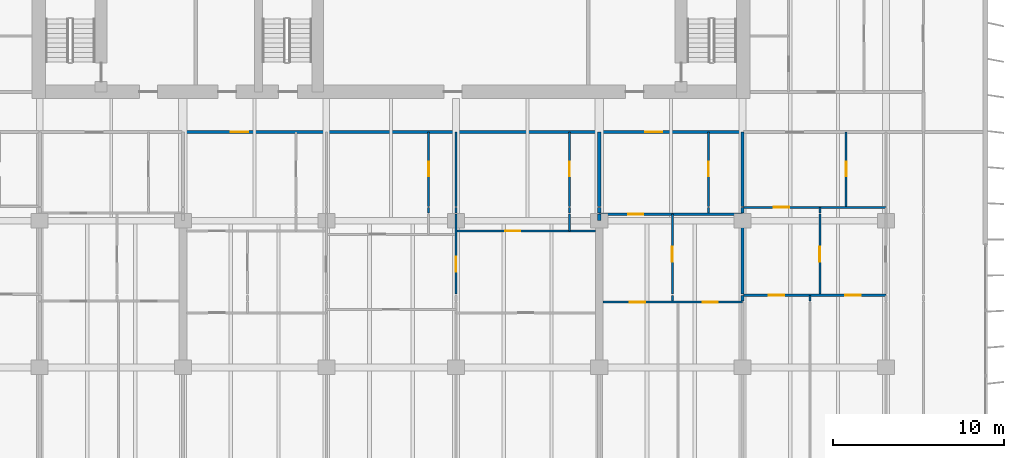
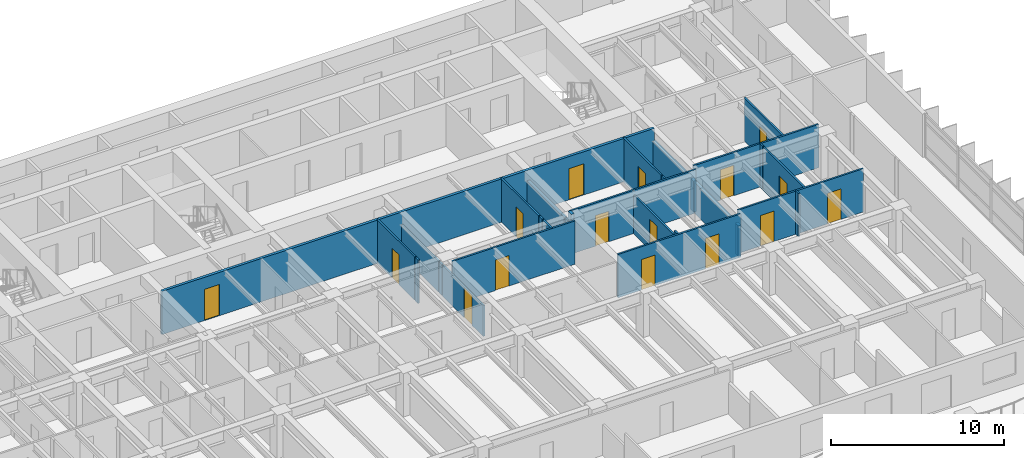
# One storey, part 9 of 17: 29 walls, 16 doors, 16 openings.
"""IFC4 building model written with IfcOpenShell, lengths in metres."""

from ifc_helpers import new_model, si_unit, direction, frame, frame_2d, origin, place, context, subcontext, project, spatial, rectangle, extrude, material, layer, layer_set, type_object, element, fill, save


model = new_model("IFC4")

# Units and contexts
model_context = context("Model", 3, precision=1e-05, world=origin(), true_north=direction((0.0, 1.0)))
body_context = subcontext(model_context, "Body", "Model", "MODEL_VIEW")
ifc_project = project(units=[si_unit("LENGTHUNIT", "METRE"), si_unit("AREAUNIT", "SQUARE_METRE"), si_unit("VOLUMEUNIT", "CUBIC_METRE"), si_unit("PLANEANGLEUNIT", "RADIAN"), si_unit("MASSUNIT", "GRAM", prefix="KILO")], contexts=[model_context])

# Site, building, storey
site_placement = place(None, origin())
site = spatial("IfcSite", under=ifc_project, at=site_placement, CompositionType="ELEMENT")
building_placement = place(site_placement, origin())
building = spatial("IfcBuilding", under=site, at=building_placement, Name="Caelmar Bay Residences", CompositionType="ELEMENT")
storey_placement = place(building_placement, frame((0.0, 0.0, 105.89990234375)))
storey = spatial("IfcBuildingStorey", under=building, at=storey_placement, Name="L28", CompositionType="ELEMENT", Elevation=105.89990234375)

# Wall, openings, doors
ifc_material_1 = material(Name="Double-stud acoustic fire-rated gypsum partition 180 mm")
ifc_layer_1 = layer(ifc_material_1, 0.179931640625)
ifc_layer_set_1 = layer_set([ifc_layer_1], Name="Double-stud acoustic fire-rated gypsum partition 180 mm")
wall_type_1 = type_object("IfcWallType", Name="W-COR-200", PredefinedType="PARTITIONING", material=ifc_layer_set_1)
wall_1_placement = place(storey_placement, frame((26.699951171875, 34.60009765625, 0.0), z_axis=(0.0, 0.0, 1.0), x_axis=(1.0, 0.0, 0.0)))
wall_1 = element("IfcWall", 1, at=wall_1_placement, inside=storey, type_object=wall_type_1, Name="L28 Partition Wall H142", PredefinedType="PARTITIONING", context=body_context, shape_type="SweptSolid", body=[
    extrude(rectangle(XDim=32.800048828125, YDim=0.179931640625, at=frame_2d((16.39990234375, 0.0))), origin(), (0.0, 0.0, 1.0), 3.050048828125),
])
opening_1_placement = place(wall_1_placement, frame((2.81201171875, 0.0, 0.0)))
opening_1 = element("IfcOpeningElement", 2, at=opening_1_placement, cuts=wall_1, Name="Opening D-L28-139", PredefinedType="OPENING", context=body_context, shape_type="SweptSolid", body=[
    extrude(rectangle(XDim=1.0, YDim=2.199951171875, at=frame_2d((0.5, 1.10009765625))), frame((0.0, 0.099853515625, 0.0), z_axis=(0.0, -1.0, 0.0), x_axis=(1.0, 0.0, 0.0)), (0.0, 0.0, 1.0), 0.199951171875),
])
opening_2_placement = place(wall_1_placement, frame((27.10400390625, 0.0, 0.0)))
opening_2 = element("IfcOpeningElement", 3, at=opening_2_placement, cuts=wall_1, Name="Opening D-L28-154", PredefinedType="OPENING", context=body_context, shape_type="SweptSolid", body=[
    extrude(rectangle(XDim=1.0, YDim=2.199951171875, at=frame_2d((0.5, 1.10009765625))), frame((0.0, 0.099853515625, 0.0), z_axis=(0.0, -1.0, 0.0), x_axis=(1.0, 0.0, 0.0)), (0.0, 0.0, 1.0), 0.199951171875),
])
ifc_material_2 = material(Name="Fire-rated steel and walnut architectural door assembly", Category="steel")
ifc_layer_2 = layer(ifc_material_2, 0.050048828125)
ifc_layer_set_2 = layer_set([ifc_layer_2], Name="Fire-rated steel and walnut architectural door assembly")
door_type_1 = type_object("IfcDoorType", Name="D-UNIT-1000", OperationType="NOTDEFINED", PredefinedType="DOOR", material=ifc_layer_set_2)
door_1_placement = place(opening_1_placement, origin())
door_1 = element("IfcDoor", 4, at=door_1_placement, inside=storey, type_object=door_type_1, Name="L28 Residence 03 Apartment Hall Door", OperationType="SINGLE_SWING_LEFT", OverallHeight=2.199951171875, OverallWidth=1.0, PredefinedType="DOOR", context=body_context, shape_type="SweptSolid", body=[
    extrude(rectangle(XDim=1.0, YDim=2.199951171875, at=frame_2d((0.5, 1.10009765625))), frame((0.0, 0.02490234375, 0.0), z_axis=(0.0, -1.0, 0.0), x_axis=(1.0, 0.0, 0.0)), (0.0, 0.0, 1.0), 0.050048828125),
])
fill(opening_1, door_1)
door_2_placement = place(opening_2_placement, origin())
door_2 = element("IfcDoor", 5, at=door_2_placement, inside=storey, type_object=door_type_1, Name="L28 Residence 04 Apartment Hall Door", OperationType="SINGLE_SWING_RIGHT", OverallHeight=2.199951171875, OverallWidth=1.0, PredefinedType="DOOR", context=body_context, shape_type="SweptSolid", body=[
    extrude(rectangle(XDim=1.0, YDim=2.199951171875, at=frame_2d((0.5, 1.10009765625))), frame((0.0, 0.02490234375, 0.0), z_axis=(0.0, -1.0, 0.0), x_axis=(1.0, 0.0, 0.0)), (0.0, 0.0, 1.0), 0.050048828125),
])
fill(opening_2, door_2)

# Wall
ifc_material_3 = material(Name="Acoustic metal-stud gypsum partition 120 mm")
ifc_layer_3 = layer(ifc_material_3, 0.1201171875)
ifc_layer_set_3 = layer_set([ifc_layer_3], Name="Acoustic metal-stud gypsum partition 120 mm")
wall_type_2 = type_object("IfcWallType", Name="W-PRT-120", PredefinedType="PARTITIONING", material=ifc_layer_set_3)
wall_2_placement = place(storey_placement, frame((41.10009765625, 29.840087890625, 0.0), z_axis=(0.0, 0.0, 1.0), x_axis=(0.0, 1.0, 0.0)))
element("IfcWall", 6, at=wall_2_placement, inside=storey, type_object=wall_type_2, Name="L28 Partition Wall V061", PredefinedType="PARTITIONING", context=body_context, shape_type="SweptSolid", body=[
    extrude(rectangle(XDim=0.33984375, YDim=0.1201171875, at=frame_2d((0.169921875, 0.0))), origin(), (0.0, 0.0, 1.0), 3.050048828125),
])

# Wall, opening, door
wall_3_placement = place(storey_placement, frame((41.10009765625, 30.239990234375, 0.0), z_axis=(0.0, 0.0, 1.0), x_axis=(0.0, 1.0, 0.0)))
wall_3 = element("IfcWall", 7, at=wall_3_placement, inside=storey, type_object=wall_type_2, Name="L28 Partition Wall V062", PredefinedType="PARTITIONING", context=body_context, shape_type="SweptSolid", body=[
    extrude(rectangle(XDim=4.360107421875, YDim=0.1201171875, at=frame_2d((2.18017578125, 0.0))), origin(), (0.0, 0.0, 1.0), 3.050048828125),
])
opening_3_placement = place(wall_3_placement, frame((1.7548828125, 0.0, 0.0)))
opening_3 = element("IfcOpeningElement", 8, at=opening_3_placement, cuts=wall_3, Name="Opening D-L28-146", PredefinedType="OPENING", context=body_context, shape_type="SweptSolid", body=[
    extrude(rectangle(XDim=0.85009765625, YDim=2.10009765625, at=frame_2d((0.425048828125, 1.050048828125))), frame((0.0, 0.070068359375, 0.0), z_axis=(0.0, -1.0, 0.0), x_axis=(1.0, 0.0, 0.0)), (0.0, 0.0, 1.0), 0.14013671875),
])
ifc_material_4 = material(Name="Solid walnut timber interior door leaf and frame", Category="wood")
ifc_layer_4 = layer(ifc_material_4, 0.050048828125)
ifc_layer_set_4 = layer_set([ifc_layer_4], Name="Solid walnut timber interior door leaf and frame")
door_type_2 = type_object("IfcDoorType", Name="D-BATH-850", OperationType="NOTDEFINED", PredefinedType="DOOR", material=ifc_layer_set_4)
door_3_placement = place(opening_3_placement, origin())
door_3 = element("IfcDoor", 9, at=door_3_placement, inside=storey, type_object=door_type_2, Name="L28 Residence 03 En-Suite Bathroom 1 Door", OperationType="SINGLE_SWING_RIGHT", OverallHeight=2.10009765625, OverallWidth=0.85009765625, PredefinedType="DOOR", context=body_context, shape_type="SweptSolid", body=[
    extrude(rectangle(XDim=0.85009765625, YDim=2.10009765625, at=frame_2d((0.425048828125, 1.050048828125))), frame((0.0, 0.02490234375, 0.0), z_axis=(0.0, -1.0, 0.0), x_axis=(1.0, 0.0, 0.0)), (0.0, 0.0, 1.0), 0.050048828125),
])
fill(opening_3, door_3)

wall_4_placement = place(storey_placement, frame((42.699951171875, 25.090087890625, 0.0), z_axis=(0.0, 0.0, 1.0), x_axis=(0.0, 1.0, 0.0)))
wall_4 = element("IfcWall", 10, at=wall_4_placement, inside=storey, type_object=wall_type_2, Name="L28 Partition Wall V066", PredefinedType="PARTITIONING", context=body_context, shape_type="SweptSolid", body=[
    extrude(rectangle(XDim=4.68994140625, YDim=0.1201171875, at=frame_2d((2.344970703125, 0.0))), origin(), (0.0, 0.0, 1.0), 2.174072265625),
])
opening_4_placement = place(wall_4_placement, frame((1.304931640625, 0.0, 0.0)))
opening_4 = element("IfcOpeningElement", 11, at=opening_4_placement, cuts=wall_4, Name="Opening D-L28-149", PredefinedType="OPENING", context=body_context, shape_type="SweptSolid", body=[
    extrude(rectangle(XDim=0.89990234375, YDim=2.1240234375, at=frame_2d((0.449951171875, 1.06201171875))), frame((0.0, 0.070068359375, 0.0), z_axis=(0.0, -1.0, 0.0), x_axis=(1.0, 0.0, 0.0)), (0.0, 0.0, 1.0), 0.14013671875),
])
ifc_layer_5 = layer(ifc_material_4, 0.050048828125)
ifc_layer_set_5 = layer_set([ifc_layer_5], Name="Solid walnut timber interior door leaf and frame")
door_type_3 = type_object("IfcDoorType", Name="D-ROOM-900", OperationType="NOTDEFINED", PredefinedType="DOOR", material=ifc_layer_set_5)
door_4_placement = place(opening_4_placement, origin())
door_4 = element("IfcDoor", 12, at=door_4_placement, inside=storey, type_object=door_type_3, Name="L28 Residence 03 Formal Dining Room 2 Door", OperationType="SINGLE_SWING_LEFT", OverallHeight=2.1240234375, OverallWidth=0.89990234375, PredefinedType="DOOR", context=body_context, shape_type="SweptSolid", body=[
    extrude(rectangle(XDim=0.89990234375, YDim=2.1240234375, at=frame_2d((0.449951171875, 1.06201171875))), frame((0.0, 0.02490234375, 0.0), z_axis=(0.0, -1.0, 0.0), x_axis=(1.0, 0.0, 0.0)), (0.0, 0.0, 1.0), 0.050048828125),
])
fill(opening_4, door_4)

# Walls
wall_5_placement = place(storey_placement, frame((42.699951171875, 29.840087890625, 0.0), z_axis=(0.0, 0.0, 1.0), x_axis=(0.0, 1.0, 0.0)))
element("IfcWall", 13, at=wall_5_placement, inside=storey, type_object=wall_type_2, Name="L28 Partition Wall V067", PredefinedType="PARTITIONING", context=body_context, shape_type="SweptSolid", body=[
    extrude(rectangle(XDim=0.33984375, YDim=0.1201171875, at=frame_2d((0.169921875, 0.0))), origin(), (0.0, 0.0, 1.0), 2.174072265625),
])
wall_6_placement = place(storey_placement, frame((42.699951171875, 30.239990234375, 0.0), z_axis=(0.0, 0.0, 1.0), x_axis=(0.0, 1.0, 0.0)))
element("IfcWall", 14, at=wall_6_placement, inside=storey, type_object=wall_type_2, Name="L28 Partition Wall V068", PredefinedType="PARTITIONING", context=body_context, shape_type="SweptSolid", body=[
    extrude(rectangle(XDim=4.360107421875, YDim=0.1201171875, at=frame_2d((2.18017578125, 0.0))), origin(), (0.0, 0.0, 1.0), 2.174072265625),
])
wall_7_placement = place(storey_placement, frame((49.35888671875, 28.800048828125, 0.0), z_axis=(0.0, 0.0, 1.0), x_axis=(0.0, 1.0, 0.0)))
element("IfcWall", 15, at=wall_7_placement, inside=storey, type_object=wall_type_2, Name="L28 Partition Wall V073", PredefinedType="PARTITIONING", context=body_context, shape_type="SweptSolid", body=[
    extrude(rectangle(XDim=0.97998046875, YDim=0.1201171875, at=frame_2d((0.489990234375, 0.0))), origin(), (0.0, 0.0, 1.0), 3.050048828125),
])
wall_8_placement = place(storey_placement, frame((49.35888671875, 29.840087890625, 0.0), z_axis=(0.0, 0.0, 1.0), x_axis=(0.0, 1.0, 0.0)))
element("IfcWall", 16, at=wall_8_placement, inside=storey, type_object=wall_type_2, Name="L28 Partition Wall V074", PredefinedType="PARTITIONING", context=body_context, shape_type="SweptSolid", body=[
    extrude(rectangle(XDim=0.33984375, YDim=0.1201171875, at=frame_2d((0.169921875, 0.0))), origin(), (0.0, 0.0, 1.0), 3.050048828125),
])

# Wall, opening, door
wall_9_placement = place(storey_placement, frame((49.35888671875, 30.239990234375, 0.0), z_axis=(0.0, 0.0, 1.0), x_axis=(0.0, 1.0, 0.0)))
wall_9 = element("IfcWall", 17, at=wall_9_placement, inside=storey, type_object=wall_type_2, Name="L28 Partition Wall V075", PredefinedType="PARTITIONING", context=body_context, shape_type="SweptSolid", body=[
    extrude(rectangle(XDim=4.360107421875, YDim=0.1201171875, at=frame_2d((2.18017578125, 0.0))), origin(), (0.0, 0.0, 1.0), 3.050048828125),
])
opening_5_placement = place(wall_9_placement, frame((1.7548828125, 0.0, 0.0)))
opening_5 = element("IfcOpeningElement", 18, at=opening_5_placement, cuts=wall_9, Name="Opening D-L28-151", PredefinedType="OPENING", context=body_context, shape_type="SweptSolid", body=[
    extrude(rectangle(XDim=0.85009765625, YDim=2.10009765625, at=frame_2d((0.425048828125, 1.050048828125))), frame((0.0, 0.070068359375, 0.0), z_axis=(0.0, -1.0, 0.0), x_axis=(1.0, 0.0, 0.0)), (0.0, 0.0, 1.0), 0.14013671875),
])
door_5_placement = place(opening_5_placement, origin())
door_5 = element("IfcDoor", 19, at=door_5_placement, inside=storey, type_object=door_type_2, Name="L28 Residence 03 En-Suite Bathroom 2 Door", OperationType="SINGLE_SWING_LEFT", OverallHeight=2.10009765625, OverallWidth=0.85009765625, PredefinedType="DOOR", context=body_context, shape_type="SweptSolid", body=[
    extrude(rectangle(XDim=0.85009765625, YDim=2.10009765625, at=frame_2d((0.425048828125, 1.050048828125))), frame((0.0, 0.02490234375, 0.0), z_axis=(0.0, -1.0, 0.0), x_axis=(1.0, 0.0, 0.0)), (0.0, 0.0, 1.0), 0.050048828125),
])
fill(opening_5, door_5)

# Wall
wall_10_placement = place(storey_placement, frame((55.385986328125, 24.68994140625, 0.0), z_axis=(0.0, 0.0, 1.0), x_axis=(0.0, 1.0, 0.0)))
element("IfcWall", 20, at=wall_10_placement, inside=storey, type_object=wall_type_2, Name="L28 Partition Wall V085", PredefinedType="PARTITIONING", context=body_context, shape_type="SweptSolid", body=[
    extrude(rectangle(XDim=0.340087890625, YDim=0.1201171875, at=frame_2d((0.169921875, 0.0))), origin(), (0.0, 0.0, 1.0), 3.050048828125),
])

# Wall, opening, door
wall_11_placement = place(storey_placement, frame((55.385986328125, 25.090087890625, 0.0), z_axis=(0.0, 0.0, 1.0), x_axis=(0.0, 1.0, 0.0)))
wall_11 = element("IfcWall", 21, at=wall_11_placement, inside=storey, type_object=wall_type_2, Name="L28 Partition Wall V086", PredefinedType="PARTITIONING", context=body_context, shape_type="SweptSolid", body=[
    extrude(rectangle(XDim=4.68994140625, YDim=0.1201171875, at=frame_2d((2.344970703125, 0.0))), origin(), (0.0, 0.0, 1.0), 2.72509765625),
])
opening_6_placement = place(wall_11_placement, frame((1.89501953125, 0.0, 0.0)))
opening_6 = element("IfcOpeningElement", 22, at=opening_6_placement, cuts=wall_11, Name="Opening D-L28-157", PredefinedType="OPENING", context=body_context, shape_type="SweptSolid", body=[
    extrude(rectangle(XDim=0.89990234375, YDim=2.14990234375, at=frame_2d((0.449951171875, 1.074951171875))), frame((0.0, 0.070068359375, 0.0), z_axis=(0.0, -1.0, 0.0), x_axis=(1.0, 0.0, 0.0)), (0.0, 0.0, 1.0), 0.14013671875),
])
door_6_placement = place(opening_6_placement, origin())
door_6 = element("IfcDoor", 23, at=door_6_placement, inside=storey, type_object=door_type_3, Name="L28 Residence 04 Formal Dining Room Door", OperationType="SINGLE_SWING_LEFT", OverallHeight=2.14990234375, OverallWidth=0.89990234375, PredefinedType="DOOR", context=body_context, shape_type="SweptSolid", body=[
    extrude(rectangle(XDim=0.89990234375, YDim=2.14990234375, at=frame_2d((0.449951171875, 1.074951171875))), frame((0.0, 0.02490234375, 0.0), z_axis=(0.0, -1.0, 0.0), x_axis=(1.0, 0.0, 0.0)), (0.0, 0.0, 1.0), 0.050048828125),
])
fill(opening_6, door_6)

# Wall
wall_12_placement = place(storey_placement, frame((57.508056640625, 29.840087890625, 0.0), z_axis=(0.0, 0.0, 1.0), x_axis=(0.0, 1.0, 0.0)))
element("IfcWall", 24, at=wall_12_placement, inside=storey, type_object=wall_type_2, Name="L28 Partition Wall V090", PredefinedType="PARTITIONING", context=body_context, shape_type="SweptSolid", body=[
    extrude(rectangle(XDim=0.33984375, YDim=0.1201171875, at=frame_2d((0.169921875, 0.0))), origin(), (0.0, 0.0, 1.0), 3.050048828125),
])

# Wall, opening, door
wall_13_placement = place(storey_placement, frame((57.508056640625, 30.239990234375, 0.0), z_axis=(0.0, 0.0, 1.0), x_axis=(0.0, 1.0, 0.0)))
wall_13 = element("IfcWall", 25, at=wall_13_placement, inside=storey, type_object=wall_type_2, Name="L28 Partition Wall V091", PredefinedType="PARTITIONING", context=body_context, shape_type="SweptSolid", body=[
    extrude(rectangle(XDim=4.360107421875, YDim=0.1201171875, at=frame_2d((2.18017578125, 0.0))), origin(), (0.0, 0.0, 1.0), 3.050048828125),
])
opening_7_placement = place(wall_13_placement, frame((1.7548828125, 0.0, 0.0)))
opening_7 = element("IfcOpeningElement", 26, at=opening_7_placement, cuts=wall_13, Name="Opening D-L28-155", PredefinedType="OPENING", context=body_context, shape_type="SweptSolid", body=[
    extrude(rectangle(XDim=0.85009765625, YDim=2.10009765625, at=frame_2d((0.425048828125, 1.050048828125))), frame((0.0, 0.070068359375, 0.0), z_axis=(0.0, -1.0, 0.0), x_axis=(1.0, 0.0, 0.0)), (0.0, 0.0, 1.0), 0.14013671875),
])
door_7_placement = place(opening_7_placement, origin())
door_7 = element("IfcDoor", 27, at=door_7_placement, inside=storey, type_object=door_type_2, Name="L28 Residence 04 Bathroom Door", OperationType="SINGLE_SWING_LEFT", OverallHeight=2.10009765625, OverallWidth=0.85009765625, PredefinedType="DOOR", context=body_context, shape_type="SweptSolid", body=[
    extrude(rectangle(XDim=0.85009765625, YDim=2.10009765625, at=frame_2d((0.425048828125, 1.050048828125))), frame((0.0, 0.02490234375, 0.0), z_axis=(0.0, -1.0, 0.0), x_axis=(1.0, 0.0, 0.0)), (0.0, 0.0, 1.0), 0.050048828125),
])
fill(opening_7, door_7)

# Wall
wall_14_placement = place(storey_placement, frame((63.447998046875, 24.68994140625, 0.0), z_axis=(0.0, 0.0, 1.0), x_axis=(0.0, 1.0, 0.0)))
element("IfcWall", 28, at=wall_14_placement, inside=storey, type_object=wall_type_2, Name="L28 Partition Wall V101", PredefinedType="PARTITIONING", context=body_context, shape_type="SweptSolid", body=[
    extrude(rectangle(XDim=0.340087890625, YDim=0.1201171875, at=frame_2d((0.169921875, 0.0))), origin(), (0.0, 0.0, 1.0), 3.050048828125),
])

# Wall, opening, door
wall_15_placement = place(storey_placement, frame((64.035888671875, 25.090087890625, 0.0), z_axis=(0.0, 0.0, 1.0), x_axis=(0.0, 1.0, 0.0)))
wall_15 = element("IfcWall", 29, at=wall_15_placement, inside=storey, type_object=wall_type_2, Name="L28 Partition Wall V102", PredefinedType="PARTITIONING", context=body_context, shape_type="SweptSolid", body=[
    extrude(rectangle(XDim=4.68994140625, YDim=0.1201171875, at=frame_2d((2.344970703125, 0.0))), origin(), (0.0, 0.0, 1.0), 3.050048828125),
])
opening_8_placement = place(wall_15_placement, frame((1.89501953125, 0.0, 0.0)))
opening_8 = element("IfcOpeningElement", 30, at=opening_8_placement, cuts=wall_15, Name="Opening D-L28-164", PredefinedType="OPENING", context=body_context, shape_type="SweptSolid", body=[
    extrude(rectangle(XDim=0.89990234375, YDim=2.14990234375, at=frame_2d((0.449951171875, 1.074951171875))), frame((0.0, 0.070068359375, 0.0), z_axis=(0.0, -1.0, 0.0), x_axis=(1.0, 0.0, 0.0)), (0.0, 0.0, 1.0), 0.14013671875),
])
door_8_placement = place(opening_8_placement, origin())
door_8 = element("IfcDoor", 31, at=door_8_placement, inside=storey, type_object=door_type_3, Name="L28 Residence 05 Formal Dining Room Door", OperationType="SINGLE_SWING_RIGHT", OverallHeight=2.14990234375, OverallWidth=0.89990234375, PredefinedType="DOOR", context=body_context, shape_type="SweptSolid", body=[
    extrude(rectangle(XDim=0.89990234375, YDim=2.14990234375, at=frame_2d((0.449951171875, 1.074951171875))), frame((0.0, 0.02490234375, 0.0), z_axis=(0.0, -1.0, 0.0), x_axis=(1.0, 0.0, 0.0)), (0.0, 0.0, 1.0), 0.050048828125),
])
fill(opening_8, door_8)

# Wall
wall_16_placement = place(storey_placement, frame((64.035888671875, 29.840087890625, 0.0), z_axis=(0.0, 0.0, 1.0), x_axis=(0.0, 1.0, 0.0)))
element("IfcWall", 32, at=wall_16_placement, inside=storey, type_object=wall_type_2, Name="L28 Partition Wall V103", PredefinedType="PARTITIONING", context=body_context, shape_type="SweptSolid", body=[
    extrude(rectangle(XDim=0.33984375, YDim=0.1201171875, at=frame_2d((0.169921875, 0.0))), origin(), (0.0, 0.0, 1.0), 3.050048828125),
])

# Wall, opening, door
wall_17_placement = place(storey_placement, frame((65.570068359375, 30.239990234375, 0.0), z_axis=(0.0, 0.0, 1.0), x_axis=(0.0, 1.0, 0.0)))
wall_17 = element("IfcWall", 33, at=wall_17_placement, inside=storey, type_object=wall_type_2, Name="L28 Partition Wall V104", PredefinedType="PARTITIONING", context=body_context, shape_type="SweptSolid", body=[
    extrude(rectangle(XDim=4.360107421875, YDim=0.1201171875, at=frame_2d((2.18017578125, 0.0))), origin(), (0.0, 0.0, 1.0), 3.050048828125),
])
opening_9_placement = place(wall_17_placement, frame((1.7548828125, 0.0, 0.0)))
opening_9 = element("IfcOpeningElement", 34, at=opening_9_placement, cuts=wall_17, Name="Opening D-L28-162", PredefinedType="OPENING", context=body_context, shape_type="SweptSolid", body=[
    extrude(rectangle(XDim=0.85009765625, YDim=2.10009765625, at=frame_2d((0.425048828125, 1.050048828125))), frame((0.0, 0.070068359375, 0.0), z_axis=(0.0, -1.0, 0.0), x_axis=(1.0, 0.0, 0.0)), (0.0, 0.0, 1.0), 0.14013671875),
])
door_9_placement = place(opening_9_placement, origin())
door_9 = element("IfcDoor", 35, at=door_9_placement, inside=storey, type_object=door_type_2, Name="L28 Residence 05 Bathroom Door", OperationType="SINGLE_SWING_RIGHT", OverallHeight=2.10009765625, OverallWidth=0.85009765625, PredefinedType="DOOR", context=body_context, shape_type="SweptSolid", body=[
    extrude(rectangle(XDim=0.85009765625, YDim=2.10009765625, at=frame_2d((0.425048828125, 1.050048828125))), frame((0.0, 0.02490234375, 0.0), z_axis=(0.0, -1.0, 0.0), x_axis=(1.0, 0.0, 0.0)), (0.0, 0.0, 1.0), 0.050048828125),
])
fill(opening_9, door_9)

# Wall, openings, doors
wall_18_placement = place(storey_placement, frame((51.320068359375, 24.6298828125, 0.0), z_axis=(0.0, 0.0, 1.0), x_axis=(1.0, 0.0, 0.0)))
wall_18 = element("IfcWall", 36, at=wall_18_placement, inside=storey, type_object=wall_type_2, Name="L28 Partition Wall H128", PredefinedType="PARTITIONING", context=body_context, shape_type="SweptSolid", body=[
    extrude(rectangle(XDim=8.179931640625, YDim=0.1201171875, at=frame_2d((4.08984375, 0.0))), origin(), (0.0, 0.0, 1.0), 3.050048828125),
])
opening_10_placement = place(wall_18_placement, frame((1.5830078125, 0.0, 0.0)))
opening_10 = element("IfcOpeningElement", 37, at=opening_10_placement, cuts=wall_18, Name="Opening D-L28-158", PredefinedType="OPENING", context=body_context, shape_type="SweptSolid", body=[
    extrude(rectangle(XDim=0.89990234375, YDim=2.14990234375, at=frame_2d((0.449951171875, 1.074951171875))), frame((0.0, 0.070068359375, 0.0), z_axis=(0.0, -1.0, 0.0), x_axis=(1.0, 0.0, 0.0)), (0.0, 0.0, 1.0), 0.14013671875),
])
opening_11_placement = place(wall_18_placement, frame((5.840087890625, 0.0, 0.0)))
opening_11 = element("IfcOpeningElement", 38, at=opening_11_placement, cuts=wall_18, Name="Opening D-L28-159", PredefinedType="OPENING", context=body_context, shape_type="SweptSolid", body=[
    extrude(rectangle(XDim=0.89990234375, YDim=2.14990234375, at=frame_2d((0.449951171875, 1.074951171875))), frame((0.0, 0.070068359375, 0.0), z_axis=(0.0, -1.0, 0.0), x_axis=(1.0, 0.0, 0.0)), (0.0, 0.0, 1.0), 0.14013671875),
])
door_10_placement = place(opening_10_placement, origin())
door_10 = element("IfcDoor", 39, at=door_10_placement, inside=storey, type_object=door_type_3, Name="L28 Residence 04 Penthouse Living Salon Door", OperationType="SINGLE_SWING_RIGHT", OverallHeight=2.14990234375, OverallWidth=0.89990234375, PredefinedType="DOOR", context=body_context, shape_type="SweptSolid", body=[
    extrude(rectangle(XDim=0.89990234375, YDim=2.14990234375, at=frame_2d((0.449951171875, 1.074951171875))), frame((0.0, 0.02490234375, 0.0), z_axis=(0.0, -1.0, 0.0), x_axis=(1.0, 0.0, 0.0)), (0.0, 0.0, 1.0), 0.050048828125),
])
fill(opening_10, door_10)
door_11_placement = place(opening_11_placement, origin())
door_11 = element("IfcDoor", 40, at=door_11_placement, inside=storey, type_object=door_type_3, Name="L28 Residence 04 Penthouse Sitting Room Door", OperationType="SINGLE_SWING_LEFT", OverallHeight=2.14990234375, OverallWidth=0.89990234375, PredefinedType="DOOR", context=body_context, shape_type="SweptSolid", body=[
    extrude(rectangle(XDim=0.89990234375, YDim=2.14990234375, at=frame_2d((0.449951171875, 1.074951171875))), frame((0.0, 0.02490234375, 0.0), z_axis=(0.0, -1.0, 0.0), x_axis=(1.0, 0.0, 0.0)), (0.0, 0.0, 1.0), 0.050048828125),
])
fill(opening_11, door_11)

wall_19_placement = place(storey_placement, frame((59.550048828125, 25.030029296875, 0.0), z_axis=(0.0, 0.0, 1.0), x_axis=(1.0, 0.0, 0.0)))
wall_19 = element("IfcWall", 41, at=wall_19_placement, inside=storey, type_object=wall_type_2, Name="L28 Partition Wall H130", PredefinedType="PARTITIONING", context=body_context, shape_type="SweptSolid", body=[
    extrude(rectangle(XDim=8.349853515625, YDim=0.1201171875, at=frame_2d((4.1748046875, 0.0))), origin(), (0.0, 0.0, 1.0), 3.050048828125),
])
opening_12_placement = place(wall_19_placement, frame((1.4990234375, 0.0, 0.0)))
opening_12 = element("IfcOpeningElement", 42, at=opening_12_placement, cuts=wall_19, Name="Opening D-L28-165", PredefinedType="OPENING", context=body_context, shape_type="SweptSolid", body=[
    extrude(rectangle(XDim=0.89990234375, YDim=2.14990234375, at=frame_2d((0.449951171875, 1.074951171875))), frame((0.0, 0.070068359375, 0.0), z_axis=(0.0, -1.0, 0.0), x_axis=(1.0, 0.0, 0.0)), (0.0, 0.0, 1.0), 0.14013671875),
])
opening_13_placement = place(wall_19_placement, frame((5.968017578125, 0.0, 0.0)))
opening_13 = element("IfcOpeningElement", 43, at=opening_13_placement, cuts=wall_19, Name="Opening D-L28-166", PredefinedType="OPENING", context=body_context, shape_type="SweptSolid", body=[
    extrude(rectangle(XDim=0.89990234375, YDim=2.14990234375, at=frame_2d((0.449951171875, 1.074951171875))), frame((0.0, 0.070068359375, 0.0), z_axis=(0.0, -1.0, 0.0), x_axis=(1.0, 0.0, 0.0)), (0.0, 0.0, 1.0), 0.14013671875),
])
door_12_placement = place(opening_12_placement, origin())
door_12 = element("IfcDoor", 44, at=door_12_placement, inside=storey, type_object=door_type_3, Name="L28 Residence 05 Penthouse Living Salon Door", OperationType="SINGLE_SWING_LEFT", OverallHeight=2.14990234375, OverallWidth=0.89990234375, PredefinedType="DOOR", context=body_context, shape_type="SweptSolid", body=[
    extrude(rectangle(XDim=0.89990234375, YDim=2.14990234375, at=frame_2d((0.449951171875, 1.074951171875))), frame((0.0, 0.02490234375, 0.0), z_axis=(0.0, -1.0, 0.0), x_axis=(1.0, 0.0, 0.0)), (0.0, 0.0, 1.0), 0.050048828125),
])
fill(opening_12, door_12)
door_13_placement = place(opening_13_placement, origin())
door_13 = element("IfcDoor", 45, at=door_13_placement, inside=storey, type_object=door_type_3, Name="L28 Residence 05 Penthouse Sitting Room Door", OperationType="SINGLE_SWING_RIGHT", OverallHeight=2.14990234375, OverallWidth=0.89990234375, PredefinedType="DOOR", context=body_context, shape_type="SweptSolid", body=[
    extrude(rectangle(XDim=0.89990234375, YDim=2.14990234375, at=frame_2d((0.449951171875, 1.074951171875))), frame((0.0, 0.02490234375, 0.0), z_axis=(0.0, -1.0, 0.0), x_axis=(1.0, 0.0, 0.0)), (0.0, 0.0, 1.0), 0.050048828125),
])
fill(opening_13, door_13)

# Wall, opening, door
wall_20_placement = place(storey_placement, frame((42.705078125, 28.800048828125, 0.0), z_axis=(0.0, 0.0, 1.0), x_axis=(1.0, 0.0, 0.0)))
wall_20 = element("IfcWall", 46, at=wall_20_placement, inside=storey, type_object=wall_type_2, Name="L28 Partition Wall H134", PredefinedType="PARTITIONING", context=body_context, shape_type="SweptSolid", body=[
    extrude(rectangle(XDim=8.1748046875, YDim=0.1201171875, at=frame_2d((4.08740234375, 0.0))), origin(), (0.0, 0.0, 1.0), 3.050048828125),
])
opening_14_placement = place(wall_20_placement, frame((2.876953125, 0.0, 0.0)))
opening_14 = element("IfcOpeningElement", 47, at=opening_14_placement, cuts=wall_20, Name="Opening D-L28-150", PredefinedType="OPENING", context=body_context, shape_type="SweptSolid", body=[
    extrude(rectangle(XDim=0.89990234375, YDim=2.14990234375, at=frame_2d((0.449951171875, 1.074951171875))), frame((0.0, 0.070068359375, 0.0), z_axis=(0.0, -1.0, 0.0), x_axis=(1.0, 0.0, 0.0)), (0.0, 0.0, 1.0), 0.14013671875),
])
door_14_placement = place(opening_14_placement, origin())
door_14 = element("IfcDoor", 48, at=door_14_placement, inside=storey, type_object=door_type_3, Name="L28 Residence 03 Breakfast Dining Room 2 Door", OperationType="SINGLE_SWING_RIGHT", OverallHeight=2.14990234375, OverallWidth=0.89990234375, PredefinedType="DOOR", context=body_context, shape_type="SweptSolid", body=[
    extrude(rectangle(XDim=0.89990234375, YDim=2.14990234375, at=frame_2d((0.449951171875, 1.074951171875))), frame((0.0, 0.02490234375, 0.0), z_axis=(0.0, -1.0, 0.0), x_axis=(1.0, 0.0, 0.0)), (0.0, 0.0, 1.0), 0.050048828125),
])
fill(opening_14, door_14)

wall_21_placement = place(storey_placement, frame((51.10009765625, 29.780029296875, 0.0), z_axis=(0.0, 0.0, 1.0), x_axis=(1.0, 0.0, 0.0)))
wall_21 = element("IfcWall", 49, at=wall_21_placement, inside=storey, type_object=wall_type_2, Name="L28 Partition Wall H135", PredefinedType="PARTITIONING", context=body_context, shape_type="SweptSolid", body=[
    extrude(rectangle(XDim=8.39990234375, YDim=0.1201171875, at=frame_2d((4.199951171875, 0.0))), origin(), (0.0, 0.0, 1.0), 3.050048828125),
])
opening_15_placement = place(wall_21_placement, frame((1.693115234375, 0.0, 0.0)))
opening_15 = element("IfcOpeningElement", 50, at=opening_15_placement, cuts=wall_21, Name="Opening D-L28-156", PredefinedType="OPENING", context=body_context, shape_type="SweptSolid", body=[
    extrude(rectangle(XDim=0.89990234375, YDim=2.14990234375, at=frame_2d((0.449951171875, 1.074951171875))), frame((0.0, 0.070068359375, 0.0), z_axis=(0.0, -1.0, 0.0), x_axis=(1.0, 0.0, 0.0)), (0.0, 0.0, 1.0), 0.14013671875),
])
door_15_placement = place(opening_15_placement, origin())
door_15 = element("IfcDoor", 51, at=door_15_placement, inside=storey, type_object=door_type_3, Name="L28 Residence 04 Kitchen Door", OperationType="SINGLE_SWING_RIGHT", OverallHeight=2.14990234375, OverallWidth=0.89990234375, PredefinedType="DOOR", context=body_context, shape_type="SweptSolid", body=[
    extrude(rectangle(XDim=0.89990234375, YDim=2.14990234375, at=frame_2d((0.449951171875, 1.074951171875))), frame((0.0, 0.02490234375, 0.0), z_axis=(0.0, -1.0, 0.0), x_axis=(1.0, 0.0, 0.0)), (0.0, 0.0, 1.0), 0.050048828125),
])
fill(opening_15, door_15)

wall_22_placement = place(storey_placement, frame((59.550048828125, 30.179931640625, 0.0), z_axis=(0.0, 0.0, 1.0), x_axis=(1.0, 0.0, 0.0)))
wall_22 = element("IfcWall", 52, at=wall_22_placement, inside=storey, type_object=wall_type_2, Name="L28 Partition Wall H137", PredefinedType="PARTITIONING", context=body_context, shape_type="SweptSolid", body=[
    extrude(rectangle(XDim=8.349853515625, YDim=0.1201171875, at=frame_2d((4.1748046875, 0.0))), origin(), (0.0, 0.0, 1.0), 3.050048828125),
])
opening_16_placement = place(wall_22_placement, frame((1.79296875, 0.0, 0.0)))
opening_16 = element("IfcOpeningElement", 53, at=opening_16_placement, cuts=wall_22, Name="Opening D-L28-163", PredefinedType="OPENING", context=body_context, shape_type="SweptSolid", body=[
    extrude(rectangle(XDim=0.89990234375, YDim=2.14990234375, at=frame_2d((0.449951171875, 1.074951171875))), frame((0.0, 0.070068359375, 0.0), z_axis=(0.0, -1.0, 0.0), x_axis=(1.0, 0.0, 0.0)), (0.0, 0.0, 1.0), 0.14013671875),
])
door_16_placement = place(opening_16_placement, origin())
door_16 = element("IfcDoor", 54, at=door_16_placement, inside=storey, type_object=door_type_3, Name="L28 Residence 05 Kitchen Door", OperationType="SINGLE_SWING_LEFT", OverallHeight=2.14990234375, OverallWidth=0.89990234375, PredefinedType="DOOR", context=body_context, shape_type="SweptSolid", body=[
    extrude(rectangle(XDim=0.89990234375, YDim=2.14990234375, at=frame_2d((0.449951171875, 1.074951171875))), frame((0.0, 0.02490234375, 0.0), z_axis=(0.0, -1.0, 0.0), x_axis=(1.0, 0.0, 0.0)), (0.0, 0.0, 1.0), 0.050048828125),
])
fill(opening_16, door_16)

# Walls
ifc_material_5 = material(Name="Acoustic twin-stud fire-rated inter-tenancy partition 200 mm")
ifc_layer_6 = layer(ifc_material_5, 0.199951171875)
ifc_layer_set_6 = layer_set([ifc_layer_6], Name="Acoustic twin-stud fire-rated inter-tenancy partition 200 mm")
wall_type_3 = type_object("IfcWallType", Name="W-PTY-200", PredefinedType="PARTITIONING", material=ifc_layer_set_6)
wall_23_placement = place(storey_placement, frame((51.10009765625, 29.405029296875, 0.0), z_axis=(0.0, 0.0, 1.0), x_axis=(0.0, 1.0, 0.0)))
element("IfcWall", 55, at=wall_23_placement, inside=storey, type_object=wall_type_3, Name="L28 Partition Wall V080", PredefinedType="PARTITIONING", context=body_context, shape_type="SweptSolid", body=[
    extrude(rectangle(XDim=0.375, YDim=0.199951171875, at=frame_2d((0.1875, 0.0))), origin(), (0.0, 0.0, 1.0), 3.050048828125),
])
wall_24_placement = place(storey_placement, frame((51.10009765625, 29.840087890625, 0.0), z_axis=(0.0, 0.0, 1.0), x_axis=(0.0, 1.0, 0.0)))
element("IfcWall", 56, at=wall_24_placement, inside=storey, type_object=wall_type_3, Name="L28 Partition Wall V081", PredefinedType="PARTITIONING", context=body_context, shape_type="SweptSolid", body=[
    extrude(rectangle(XDim=0.33984375, YDim=0.199951171875, at=frame_2d((0.169921875, 0.0))), origin(), (0.0, 0.0, 1.0), 2.335205078125),
])
wall_25_placement = place(storey_placement, frame((51.10009765625, 30.239990234375, 0.0), z_axis=(0.0, 0.0, 1.0), x_axis=(0.0, 1.0, 0.0)))
element("IfcWall", 57, at=wall_25_placement, inside=storey, type_object=wall_type_3, Name="L28 Partition Wall V082", PredefinedType="PARTITIONING", context=body_context, shape_type="SweptSolid", body=[
    extrude(rectangle(XDim=4.360107421875, YDim=0.199951171875, at=frame_2d((2.18017578125, 0.0))), origin(), (0.0, 0.0, 1.0), 2.335205078125),
])
wall_26_placement = place(storey_placement, frame((59.5, 24.68994140625, 0.0), z_axis=(0.0, 0.0, 1.0), x_axis=(0.0, 1.0, 0.0)))
element("IfcWall", 58, at=wall_26_placement, inside=storey, type_object=wall_type_3, Name="L28 Partition Wall V094", PredefinedType="PARTITIONING", context=body_context, shape_type="SweptSolid", body=[
    extrude(rectangle(XDim=0.340087890625, YDim=0.199951171875, at=frame_2d((0.169921875, 0.0))), origin(), (0.0, 0.0, 1.0), 2.174072265625),
])
wall_27_placement = place(storey_placement, frame((59.5, 25.090087890625, 0.0), z_axis=(0.0, 0.0, 1.0), x_axis=(0.0, 1.0, 0.0)))
element("IfcWall", 59, at=wall_27_placement, inside=storey, type_object=wall_type_3, Name="L28 Partition Wall V095", PredefinedType="PARTITIONING", context=body_context, shape_type="SweptSolid", body=[
    extrude(rectangle(XDim=4.68994140625, YDim=0.199951171875, at=frame_2d((2.344970703125, 0.0))), origin(), (0.0, 0.0, 1.0), 2.174072265625),
])
wall_28_placement = place(storey_placement, frame((59.5, 29.840087890625, 0.0), z_axis=(0.0, 0.0, 1.0), x_axis=(0.0, 1.0, 0.0)))
element("IfcWall", 60, at=wall_28_placement, inside=storey, type_object=wall_type_3, Name="L28 Partition Wall V096", PredefinedType="PARTITIONING", context=body_context, shape_type="SweptSolid", body=[
    extrude(rectangle(XDim=0.33984375, YDim=0.199951171875, at=frame_2d((0.169921875, 0.0))), origin(), (0.0, 0.0, 1.0), 2.174072265625),
])
wall_29_placement = place(storey_placement, frame((59.5, 30.239990234375, 0.0), z_axis=(0.0, 0.0, 1.0), x_axis=(0.0, 1.0, 0.0)))
element("IfcWall", 61, at=wall_29_placement, inside=storey, type_object=wall_type_3, Name="L28 Partition Wall V097", PredefinedType="PARTITIONING", context=body_context, shape_type="SweptSolid", body=[
    extrude(rectangle(XDim=4.360107421875, YDim=0.199951171875, at=frame_2d((2.18017578125, 0.0))), origin(), (0.0, 0.0, 1.0), 2.174072265625),
])

save(model, "model.ifc")
